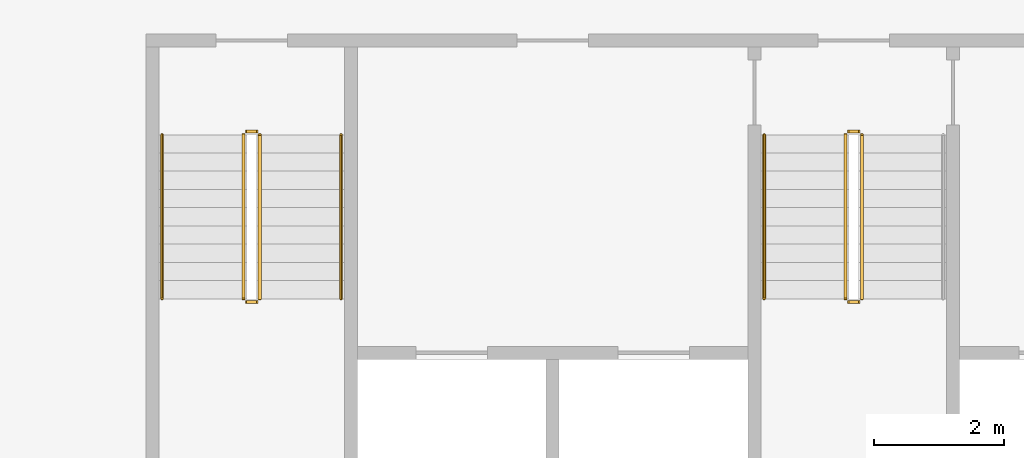
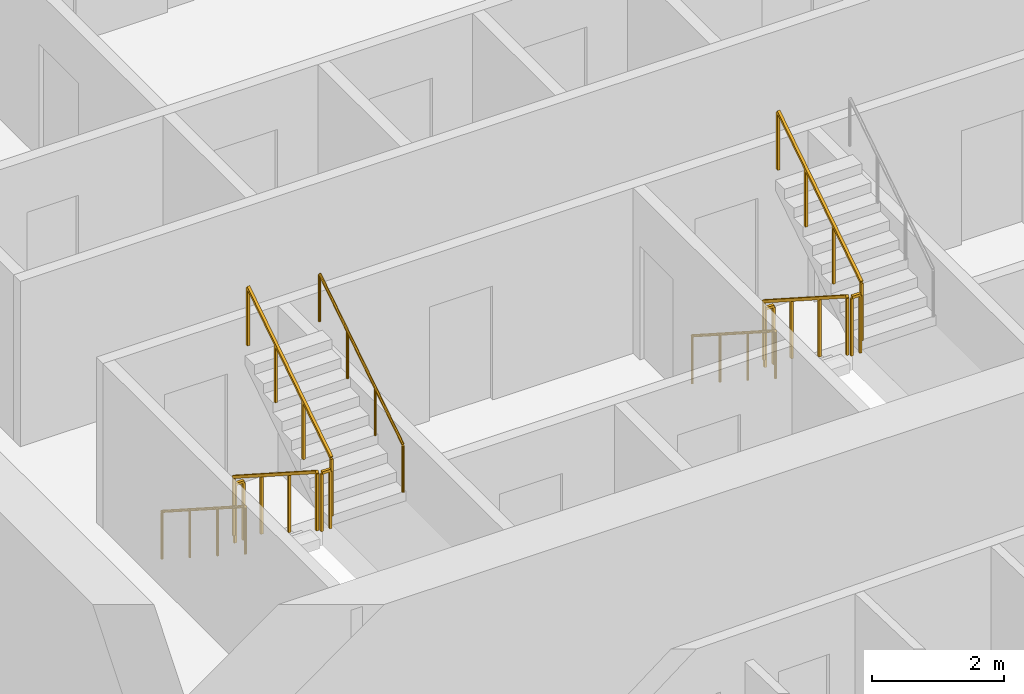
# One storey, part 15 of 17: 11 railings.
"""IFC4 building model written with IfcOpenShell, lengths in metres."""

from ifc_helpers import new_model, si_unit, direction, frame, origin, origin_2d, place, context, subcontext, project, spatial, rectangle, circle, extrude, material, type_object, element, save


model = new_model("IFC4")

# Units and contexts
model_context = context("Model", 3, precision=1e-05, world=origin(), true_north=direction((0.0, 1.0)))
body_context = subcontext(model_context, "Body", "Model", "MODEL_VIEW")
ifc_project = project(units=[si_unit("LENGTHUNIT", "METRE"), si_unit("AREAUNIT", "SQUARE_METRE"), si_unit("VOLUMEUNIT", "CUBIC_METRE"), si_unit("PLANEANGLEUNIT", "RADIAN"), si_unit("MASSUNIT", "GRAM", prefix="KILO")], contexts=[model_context])

# Site, building, storey
site_placement = place(None, origin())
site = spatial("IfcSite", under=ifc_project, at=site_placement, CompositionType="ELEMENT")
building_placement = place(site_placement, origin())
building = spatial("IfcBuilding", under=site, at=building_placement, Name="Mangrove Gate Tower", CompositionType="ELEMENT")
storey_placement = place(building_placement, frame((0.0, 0.0, 241.89990234375)))
storey = spatial("IfcBuildingStorey", under=building, at=storey_placement, Name="L61", CompositionType="ELEMENT", Elevation=241.89990234375)

# Railings
ifc_material_1 = material(Name="Stainless steel 316", Category="steel")
railing_type_1 = type_object("IfcRailingType", Name="Core stair guard 1100", PredefinedType="GUARDRAIL", material=ifc_material_1)
railing_1_placement = place(storey_placement, frame((-9.39990234375, -4.64990234375, 0.18017578125)))
element("IfcRailing", 1, at=railing_1_placement, inside=storey, type_object=railing_type_1, Name="L61 ST1 stair guard 1", PredefinedType="GUARDRAIL", context=body_context, shape_type="SweptSolid", body=[
    extrude(rectangle(XDim=0.048095703125, YDim=0.048095703125, at=origin_2d()), frame((0.0, 0.0, 1.076171875), z_axis=(0.0, -0.841199657755, 0.540724639528), x_axis=(1.0, 0.0, 0.0)), (0.0, 0.0, 1.0), 2.995849609375),
    extrude(rectangle(XDim=0.0419921875, YDim=0.0419921875, at=origin_2d()), origin(), (0.0, 0.0, 1.0), 1.052001953125),
    extrude(rectangle(XDim=0.0419921875, YDim=0.0419921875, at=origin_2d()), frame((0.0, -0.840087890625, 0.5400390625)), (0.0, 0.0, 1.0), 1.052001953125),
    extrude(rectangle(XDim=0.0419921875, YDim=0.0419921875, at=origin_2d()), frame((0.0, -1.679931640625, 1.079833984375)), (0.0, 0.0, 1.0), 1.052001953125),
    extrude(rectangle(XDim=0.0419921875, YDim=0.0419921875, at=origin_2d()), frame((0.0, -2.52001953125, 1.619873046875)), (0.0, 0.0, 1.0), 1.052001953125),
])
railing_2_placement = place(storey_placement, frame((-9.35009765625, -7.219970703125, 1.800048828125)))
element("IfcRailing", 2, at=railing_2_placement, inside=storey, type_object=railing_type_1, Name="L61 ST1 stair guard 2", PredefinedType="GUARDRAIL", context=body_context, shape_type="SweptSolid", body=[
    extrude(rectangle(XDim=0.048095703125, YDim=0.048095703125, at=origin_2d()), frame((0.0, 0.0, 1.076171875), z_axis=(1.0, 0.0, 0.0), x_axis=(0.0, 1.0, 0.0)), (0.0, 0.0, 1.0), 0.150146484375),
    extrude(rectangle(XDim=0.0419921875, YDim=0.0419921875, at=origin_2d()), origin(), (0.0, 0.0, 1.0), 1.052001953125),
    extrude(rectangle(XDim=0.0419921875, YDim=0.0419921875, at=origin_2d()), frame((0.150146484375, 0.0, 0.0)), (0.0, 0.0, 1.0), 1.052001953125),
])
railing_3_placement = place(storey_placement, frame((-9.14990234375, -7.169921875, 1.97998046875)))
element("IfcRailing", 3, at=railing_3_placement, inside=storey, type_object=railing_type_1, Name="L61 ST1 stair guard 3", PredefinedType="GUARDRAIL", context=body_context, shape_type="SweptSolid", body=[
    extrude(rectangle(XDim=0.048095703125, YDim=0.048095703125, at=origin_2d()), frame((0.0, 0.0, 1.076171875), z_axis=(0.0, 0.841162588446, 0.540782303519), x_axis=(-1.0, 0.0, 0.0)), (0.0, 0.0, 1.0), 2.995849609375),
    extrude(rectangle(XDim=0.0419921875, YDim=0.0419921875, at=origin_2d()), origin(), (0.0, 0.0, 1.0), 1.052001953125),
    extrude(rectangle(XDim=0.0419921875, YDim=0.0419921875, at=origin_2d()), frame((0.0, 0.840087890625, 0.5400390625)), (0.0, 0.0, 1.0), 1.052001953125),
    extrude(rectangle(XDim=0.0419921875, YDim=0.0419921875, at=origin_2d()), frame((0.0, 1.679931640625, 1.080078125)), (0.0, 0.0, 1.0), 1.052001953125),
    extrude(rectangle(XDim=0.0419921875, YDim=0.0419921875, at=origin_2d()), frame((0.0, 2.52001953125, 1.6201171875)), (0.0, 0.0, 1.0), 1.052001953125),
])
railing_4_placement = place(storey_placement, frame((-9.35009765625, -4.60009765625, 0.0)))
element("IfcRailing", 4, at=railing_4_placement, inside=storey, type_object=railing_type_1, Name="L61 ST1 stair guard 4", PredefinedType="GUARDRAIL", context=body_context, shape_type="SweptSolid", body=[
    extrude(rectangle(XDim=0.048095703125, YDim=0.048095703125, at=origin_2d()), frame((0.0, 0.0, 1.076171875), z_axis=(1.0, 0.0, 0.0), x_axis=(0.0, 1.0, 0.0)), (0.0, 0.0, 1.0), 0.150146484375),
    extrude(rectangle(XDim=0.0419921875, YDim=0.0419921875, at=origin_2d()), origin(), (0.0, 0.0, 1.0), 1.052001953125),
    extrude(rectangle(XDim=0.0419921875, YDim=0.0419921875, at=origin_2d()), frame((0.150146484375, 0.0, 0.0)), (0.0, 0.0, 1.0), 1.052001953125),
])
railing_5_placement = place(storey_placement, frame((-0.14990234375, -4.64990234375, 0.18017578125)))
element("IfcRailing", 5, at=railing_5_placement, inside=storey, type_object=railing_type_1, Name="L61 ST2 stair guard 1", PredefinedType="GUARDRAIL", context=body_context, shape_type="SweptSolid", body=[
    extrude(rectangle(XDim=0.048095703125, YDim=0.048095703125, at=origin_2d()), frame((0.0, 0.0, 1.076171875), z_axis=(0.0, -0.841199657755, 0.540724639528), x_axis=(1.0, 0.0, 0.0)), (0.0, 0.0, 1.0), 2.995849609375),
    extrude(rectangle(XDim=0.0419921875, YDim=0.0419921875, at=origin_2d()), origin(), (0.0, 0.0, 1.0), 1.052001953125),
    extrude(rectangle(XDim=0.0419921875, YDim=0.0419921875, at=origin_2d()), frame((0.0, -0.840087890625, 0.5400390625)), (0.0, 0.0, 1.0), 1.052001953125),
    extrude(rectangle(XDim=0.0419921875, YDim=0.0419921875, at=origin_2d()), frame((0.0, -1.679931640625, 1.079833984375)), (0.0, 0.0, 1.0), 1.052001953125),
    extrude(rectangle(XDim=0.0419921875, YDim=0.0419921875, at=origin_2d()), frame((0.0, -2.52001953125, 1.619873046875)), (0.0, 0.0, 1.0), 1.052001953125),
])
railing_6_placement = place(storey_placement, frame((-0.10009765625, -7.219970703125, 1.800048828125)))
element("IfcRailing", 6, at=railing_6_placement, inside=storey, type_object=railing_type_1, Name="L61 ST2 stair guard 2", PredefinedType="GUARDRAIL", context=body_context, shape_type="SweptSolid", body=[
    extrude(rectangle(XDim=0.048095703125, YDim=0.048095703125, at=origin_2d()), frame((0.0, 0.0, 1.076171875), z_axis=(1.0, 0.0, 0.0), x_axis=(0.0, 1.0, 0.0)), (0.0, 0.0, 1.0), 0.150146484375),
    extrude(rectangle(XDim=0.0419921875, YDim=0.0419921875, at=origin_2d()), origin(), (0.0, 0.0, 1.0), 1.052001953125),
    extrude(rectangle(XDim=0.0419921875, YDim=0.0419921875, at=origin_2d()), frame((0.150146484375, 0.0, 0.0)), (0.0, 0.0, 1.0), 1.052001953125),
])
railing_7_placement = place(storey_placement, frame((0.10009765625, -7.169921875, 1.97998046875)))
element("IfcRailing", 7, at=railing_7_placement, inside=storey, type_object=railing_type_1, Name="L61 ST2 stair guard 3", PredefinedType="GUARDRAIL", context=body_context, shape_type="SweptSolid", body=[
    extrude(rectangle(XDim=0.048095703125, YDim=0.048095703125, at=origin_2d()), frame((0.0, 0.0, 1.076171875), z_axis=(0.0, 0.841162588446, 0.540782303519), x_axis=(-1.0, 0.0, 0.0)), (0.0, 0.0, 1.0), 2.995849609375),
    extrude(rectangle(XDim=0.0419921875, YDim=0.0419921875, at=origin_2d()), origin(), (0.0, 0.0, 1.0), 1.052001953125),
    extrude(rectangle(XDim=0.0419921875, YDim=0.0419921875, at=origin_2d()), frame((0.0, 0.840087890625, 0.5400390625)), (0.0, 0.0, 1.0), 1.052001953125),
    extrude(rectangle(XDim=0.0419921875, YDim=0.0419921875, at=origin_2d()), frame((0.0, 1.679931640625, 1.080078125)), (0.0, 0.0, 1.0), 1.052001953125),
    extrude(rectangle(XDim=0.0419921875, YDim=0.0419921875, at=origin_2d()), frame((0.0, 2.52001953125, 1.6201171875)), (0.0, 0.0, 1.0), 1.052001953125),
])
railing_8_placement = place(storey_placement, frame((-0.10009765625, -4.60009765625, 0.0)))
element("IfcRailing", 8, at=railing_8_placement, inside=storey, type_object=railing_type_1, Name="L61 ST2 stair guard 4", PredefinedType="GUARDRAIL", context=body_context, shape_type="SweptSolid", body=[
    extrude(rectangle(XDim=0.048095703125, YDim=0.048095703125, at=origin_2d()), frame((0.0, 0.0, 1.076171875), z_axis=(1.0, 0.0, 0.0), x_axis=(0.0, 1.0, 0.0)), (0.0, 0.0, 1.0), 0.150146484375),
    extrude(rectangle(XDim=0.0419921875, YDim=0.0419921875, at=origin_2d()), origin(), (0.0, 0.0, 1.0), 1.052001953125),
    extrude(rectangle(XDim=0.0419921875, YDim=0.0419921875, at=origin_2d()), frame((0.150146484375, 0.0, 0.0)), (0.0, 0.0, 1.0), 1.052001953125),
])
ifc_material_2 = material(Name="Stainless steel 316", Category="steel")
railing_type_2 = type_object("IfcRailingType", Name="Core stair handrail 900", PredefinedType="HANDRAIL", material=ifc_material_2)
railing_9_placement = place(storey_placement, frame((-10.64990234375, -4.64990234375, 0.18017578125)))
element("IfcRailing", 9, at=railing_9_placement, inside=storey, type_object=railing_type_2, Name="L61 ST1 stair handrail 1", PredefinedType="HANDRAIL", context=body_context, shape_type="SweptSolid", body=[
    extrude(circle(Radius=0.02392578125, at=origin_2d()), frame((0.0, 0.0, 0.8759765625), z_axis=(0.0, -0.841199657755, 0.540724639528), x_axis=(1.0, 0.0, 0.0)), (0.0, 0.0, 1.0), 2.995849609375),
    extrude(circle(Radius=0.02099609375, at=origin_2d()), origin(), (0.0, 0.0, 1.0), 0.851806640625),
    extrude(circle(Radius=0.02099609375, at=origin_2d()), frame((0.0, -0.840087890625, 0.5400390625)), (0.0, 0.0, 1.0), 0.851806640625),
    extrude(circle(Radius=0.02099609375, at=origin_2d()), frame((0.0, -1.679931640625, 1.079833984375)), (0.0, 0.0, 1.0), 0.851806640625),
    extrude(circle(Radius=0.02099609375, at=origin_2d()), frame((0.0, -2.52001953125, 1.619873046875)), (0.0, 0.0, 1.0), 0.851806640625),
])
railing_10_placement = place(storey_placement, frame((-7.89990234375, -7.169921875, 1.97998046875)))
element("IfcRailing", 10, at=railing_10_placement, inside=storey, type_object=railing_type_2, Name="L61 ST1 stair handrail 2", PredefinedType="HANDRAIL", context=body_context, shape_type="SweptSolid", body=[
    extrude(circle(Radius=0.02392578125, at=origin_2d()), frame((0.0, 0.0, 0.8759765625), z_axis=(0.0, 0.841162588446, 0.540782303519), x_axis=(-1.0, 0.0, 0.0)), (0.0, 0.0, 1.0), 2.995849609375),
    extrude(circle(Radius=0.02099609375, at=origin_2d()), origin(), (0.0, 0.0, 1.0), 0.851806640625),
    extrude(circle(Radius=0.02099609375, at=origin_2d()), frame((0.0, 0.840087890625, 0.5400390625)), (0.0, 0.0, 1.0), 0.851806640625),
    extrude(circle(Radius=0.02099609375, at=origin_2d()), frame((0.0, 1.679931640625, 1.080078125)), (0.0, 0.0, 1.0), 0.851806640625),
    extrude(circle(Radius=0.02099609375, at=origin_2d()), frame((0.0, 2.52001953125, 1.6201171875)), (0.0, 0.0, 1.0), 0.851806640625),
])
railing_11_placement = place(storey_placement, frame((-1.39990234375, -4.64990234375, 0.18017578125)))
element("IfcRailing", 11, at=railing_11_placement, inside=storey, type_object=railing_type_2, Name="L61 ST2 stair handrail 1", PredefinedType="HANDRAIL", context=body_context, shape_type="SweptSolid", body=[
    extrude(circle(Radius=0.02392578125, at=origin_2d()), frame((0.0, 0.0, 0.8759765625), z_axis=(0.0, -0.841199657755, 0.540724639528), x_axis=(1.0, 0.0, 0.0)), (0.0, 0.0, 1.0), 2.995849609375),
    extrude(circle(Radius=0.02099609375, at=origin_2d()), origin(), (0.0, 0.0, 1.0), 0.851806640625),
    extrude(circle(Radius=0.02099609375, at=origin_2d()), frame((0.0, -0.840087890625, 0.5400390625)), (0.0, 0.0, 1.0), 0.851806640625),
    extrude(circle(Radius=0.02099609375, at=origin_2d()), frame((0.0, -1.679931640625, 1.079833984375)), (0.0, 0.0, 1.0), 0.851806640625),
    extrude(circle(Radius=0.02099609375, at=origin_2d()), frame((0.0, -2.52001953125, 1.619873046875)), (0.0, 0.0, 1.0), 0.851806640625),
])

save(model, "model.ifc")
